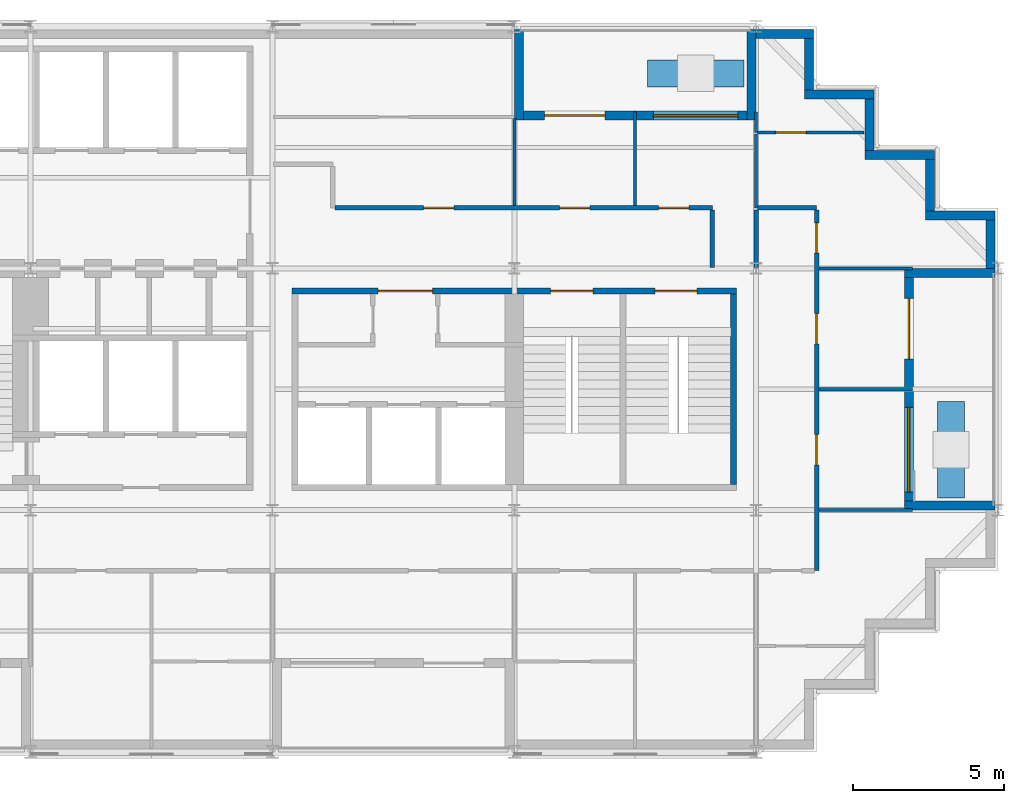
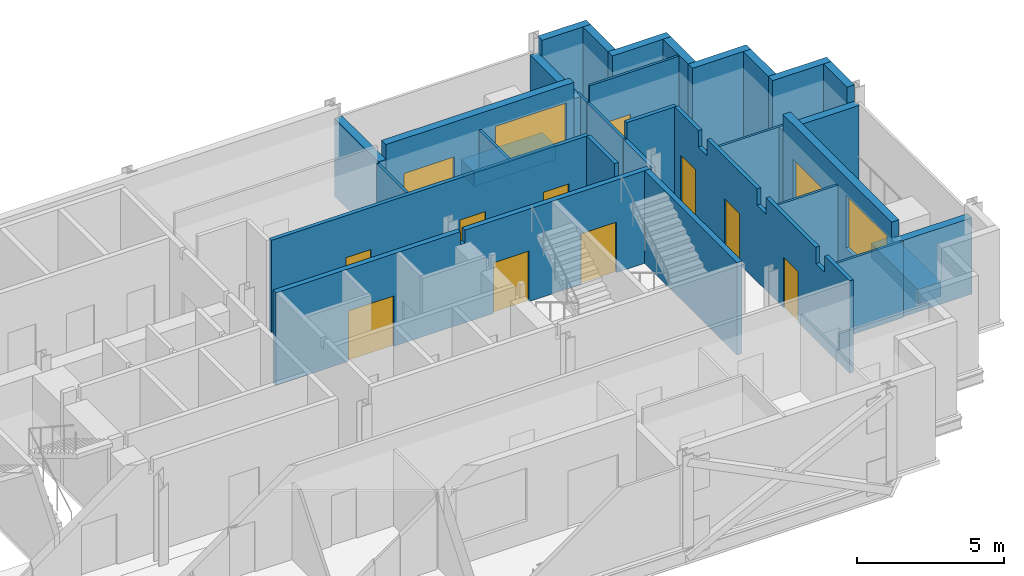
# One storey, part 7 of 10: 31 walls, 12 doors, 2 windows, 14 openings.
"""IFC4 building model written with IfcOpenShell, lengths in metres."""

from ifc_helpers import new_model, si_unit, direction, frame, frame_2d, origin, place, context, subcontext, project, spatial, polyline, rectangle, outline, extrude, material, layer, layer_set, type_object, element, fill, save


model = new_model("IFC4")

# Units and contexts
model_context = context("Model", 3, precision=1e-05, world=origin(), true_north=direction((0.0, 1.0)))
body_context = subcontext(model_context, "Body", "Model", "MODEL_VIEW")
ifc_project = project(units=[si_unit("LENGTHUNIT", "METRE"), si_unit("AREAUNIT", "SQUARE_METRE"), si_unit("VOLUMEUNIT", "CUBIC_METRE"), si_unit("PLANEANGLEUNIT", "RADIAN"), si_unit("MASSUNIT", "GRAM", prefix="KILO")], contexts=[model_context])

# Site, building, storey
site_placement = place(None, origin())
site = spatial("IfcSite", under=ifc_project, at=site_placement, CompositionType="ELEMENT")
building_placement = place(site_placement, origin())
building = spatial("IfcBuilding", under=site, at=building_placement, Name="Immortelle Media Tower", CompositionType="ELEMENT")
storey_placement = place(building_placement, frame((0.0, 0.0, 229.0)))
storey = spatial("IfcBuildingStorey", under=building, at=storey_placement, Name="L49", CompositionType="ELEMENT", Elevation=229.0)

# Wall, openings, doors
ifc_material_1 = material(Name="Fire-rated gypsum board", Category="gypsum")
ifc_layer_1 = layer(ifc_material_1, 0.012451171875)
ifc_material_2 = material(Name="Steel ASTM A653 SS Gr 50 stud frame with mineral wool", Category="steel")
ifc_layer_2 = layer(ifc_material_2, 0.125)
ifc_layer_3 = layer(ifc_material_1, 0.012451171875)
ifc_layer_set_1 = layer_set([ifc_layer_1, ifc_layer_2, ifc_layer_3], Name="Steel ASTM A653 SS Gr 50 stud frame with mineral wool")
wall_type_1 = type_object("IfcWallType", Name="Corridor wall 150", PredefinedType="PARTITIONING", material=ifc_layer_set_1)
wall_1_placement = place(storey_placement, frame((42.0, 6.0, 0.0), z_axis=(0.0, 0.0, 1.0), x_axis=(0.0, 1.0, 0.0)))
wall_1 = element("IfcWall", 1, at=wall_1_placement, inside=storey, type_object=wall_type_1, Name="Partition L49-017", PredefinedType="PARTITIONING", context=body_context, shape_type="SweptSolid", body=[
    extrude(outline(polyline([(0.0, 0.0), (11.925048828125, 0.0), (11.925048828125, 3.85009765625), (10.300048828125, 3.85009765625), (10.298095703125, 3.172119140625), (9.701904296875, 3.172119140625), (9.699951171875, 3.85009765625), (6.300048828125, 3.85009765625), (6.298095703125, 3.172119140625), (5.701904296875, 3.172119140625), (5.699951171875, 3.85009765625), (2.300048828125, 3.85009765625), (2.298095703125, 3.172119140625), (1.701904296875, 3.172119140625), (1.699951171875, 3.85009765625), (0.0, 3.85009765625), (0.0, 0.0)])), frame((0.0, 0.074951171875, 0.0), z_axis=(0.0, -1.0, 0.0), x_axis=(1.0, 0.0, 0.0)), (0.0, 0.0, 1.0), 0.14990234375),
])
opening_1_placement = place(wall_1_placement, frame((4.5, 0.0, 0.0), z_axis=(0.0, 0.0, 1.0), x_axis=(-1.0, 0.0, 0.0)))
opening_1 = element("IfcOpeningElement", 2, at=opening_1_placement, cuts=wall_1, Name="Opening O5-F014", PredefinedType="OPENING", context=body_context, shape_type="SweptSolid", body=[
    extrude(rectangle(XDim=1.0, YDim=2.10009765625, at=frame_2d((0.5, 1.050048828125))), frame((0.0, 0.0849609375, 0.0), z_axis=(0.0, -1.0, 0.0), x_axis=(1.0, 0.0, 0.0)), (0.0, 0.0, 1.0), 0.169921875),
])
opening_2_placement = place(wall_1_placement, frame((8.5, 0.0, 0.0), z_axis=(0.0, 0.0, 1.0), x_axis=(-1.0, 0.0, 0.0)))
opening_2 = element("IfcOpeningElement", 3, at=opening_2_placement, cuts=wall_1, Name="Opening O5-F015", PredefinedType="OPENING", context=body_context, shape_type="SweptSolid", body=[
    extrude(rectangle(XDim=1.0, YDim=2.10009765625, at=frame_2d((0.5, 1.050048828125))), frame((0.0, 0.0849609375, 0.0), z_axis=(0.0, -1.0, 0.0), x_axis=(1.0, 0.0, 0.0)), (0.0, 0.0, 1.0), 0.169921875),
])
opening_3_placement = place(wall_1_placement, frame((11.5, 0.0, 0.0), z_axis=(0.0, 0.0, 1.0), x_axis=(-1.0, 0.0, 0.0)))
opening_3 = element("IfcOpeningElement", 4, at=opening_3_placement, cuts=wall_1, Name="Opening O5-F017", PredefinedType="OPENING", context=body_context, shape_type="SweptSolid", body=[
    extrude(rectangle(XDim=1.0, YDim=2.10009765625, at=frame_2d((0.5, 1.050048828125))), frame((0.0, 0.0849609375, 0.0), z_axis=(0.0, -1.0, 0.0), x_axis=(1.0, 0.0, 0.0)), (0.0, 0.0, 1.0), 0.169921875),
])
ifc_material_3 = material(Name="Timber veneered door leaf, galvanised steel frame ASTM A653", Category="steel")
door_type_1 = type_object("IfcDoorType", Name="Room door 1000 x 2100", OperationType="NOTDEFINED", PredefinedType="DOOR", material=ifc_material_3)
door_1_placement = place(opening_1_placement, origin())
door_1 = element("IfcDoor", 5, at=door_1_placement, inside=storey, type_object=door_type_1, Name="Door O5-F014", OperationType="SINGLE_SWING_RIGHT", OverallHeight=2.10009765625, OverallWidth=1.0, PredefinedType="DOOR", context=body_context, shape_type="SweptSolid", body=[
    extrude(rectangle(XDim=1.0, YDim=2.10009765625, at=frame_2d((0.5, 1.050048828125))), frame((0.0, 0.02490234375, 0.0), z_axis=(0.0, -1.0, 0.0), x_axis=(1.0, 0.0, 0.0)), (0.0, 0.0, 1.0), 0.050048828125),
])
fill(opening_1, door_1)
door_2_placement = place(opening_2_placement, origin())
door_2 = element("IfcDoor", 6, at=door_2_placement, inside=storey, type_object=door_type_1, Name="Door O5-F015", OperationType="SINGLE_SWING_LEFT", OverallHeight=2.10009765625, OverallWidth=1.0, PredefinedType="DOOR", context=body_context, shape_type="SweptSolid", body=[
    extrude(rectangle(XDim=1.0, YDim=2.10009765625, at=frame_2d((0.5, 1.050048828125))), frame((0.0, 0.02490234375, 0.0), z_axis=(0.0, -1.0, 0.0), x_axis=(1.0, 0.0, 0.0)), (0.0, 0.0, 1.0), 0.050048828125),
])
fill(opening_2, door_2)
door_3_placement = place(opening_3_placement, origin())
door_3 = element("IfcDoor", 7, at=door_3_placement, inside=storey, type_object=door_type_1, Name="Door O5-F017", OperationType="SINGLE_SWING_RIGHT", OverallHeight=2.10009765625, OverallWidth=1.0, PredefinedType="DOOR", context=body_context, shape_type="SweptSolid", body=[
    extrude(rectangle(XDim=1.0, YDim=2.10009765625, at=frame_2d((0.5, 1.050048828125))), frame((0.0, 0.02490234375, 0.0), z_axis=(0.0, -1.0, 0.0), x_axis=(1.0, 0.0, 0.0)), (0.0, 0.0, 1.0), 0.050048828125),
])
fill(opening_3, door_3)

# Walls
wall_2_placement = place(storey_placement, frame((38.550048828125, 16.030029296875, 0.0), z_axis=(0.0, 0.0, 1.0), x_axis=(0.0, 1.0, 0.0)))
element("IfcWall", 8, at=wall_2_placement, inside=storey, type_object=wall_type_1, Name="Partition L49-023", PredefinedType="PARTITIONING", context=body_context, shape_type="SweptSolid", body=[
    extrude(rectangle(XDim=1.89501953125, YDim=0.14990234375, at=frame_2d((0.947509765625, 0.0))), origin(), (0.0, 0.0, 1.0), 3.85009765625),
])
wall_3_placement = place(storey_placement, frame((40.0, 16.030029296875, 0.0), z_axis=(0.0, 0.0, 1.0), x_axis=(0.0, 1.0, 0.0)))
element("IfcWall", 9, at=wall_3_placement, inside=storey, type_object=wall_type_1, Name="Partition L49-024", PredefinedType="PARTITIONING", context=body_context, shape_type="SweptSolid", body=[
    extrude(rectangle(XDim=1.89501953125, YDim=0.14990234375, at=frame_2d((0.947509765625, 0.0))), origin(), (0.0, 0.0, 1.0), 3.172119140625),
])

# Wall, openings, doors
wall_4_placement = place(storey_placement, frame((26.074951171875, 18.0, 0.0), z_axis=(0.0, 0.0, 1.0), x_axis=(1.0, 0.0, 0.0)))
wall_4 = element("IfcWall", 10, at=wall_4_placement, inside=storey, type_object=wall_type_1, Name="Partition L49-025", PredefinedType="PARTITIONING", context=body_context, shape_type="SweptSolid", body=[
    extrude(rectangle(XDim=12.47509765625, YDim=0.14990234375, at=frame_2d((6.237548828125, 0.0))), origin(), (0.0, 0.0, 1.0), 3.85009765625),
])
opening_4_placement = place(wall_4_placement, frame((7.425048828125, 0.0, 0.0)))
opening_4 = element("IfcOpeningElement", 11, at=opening_4_placement, cuts=wall_4, Name="Opening O5-F019", PredefinedType="OPENING", context=body_context, shape_type="SweptSolid", body=[
    extrude(rectangle(XDim=1.0, YDim=2.10009765625, at=frame_2d((0.5, 1.050048828125))), frame((0.0, 0.0849609375, 0.0), z_axis=(0.0, -1.0, 0.0), x_axis=(1.0, 0.0, 0.0)), (0.0, 0.0, 1.0), 0.169921875),
])
opening_5_placement = place(wall_4_placement, frame((10.699951171875, 0.0, 0.0)))
opening_5 = element("IfcOpeningElement", 12, at=opening_5_placement, cuts=wall_4, Name="Opening O5-F020", PredefinedType="OPENING", context=body_context, shape_type="SweptSolid", body=[
    extrude(rectangle(XDim=1.0, YDim=2.10009765625, at=frame_2d((0.5, 1.050048828125))), frame((0.0, 0.0849609375, 0.0), z_axis=(0.0, -1.0, 0.0), x_axis=(1.0, 0.0, 0.0)), (0.0, 0.0, 1.0), 0.169921875),
])
opening_6_placement = place(wall_4_placement, frame((2.925048828125, 0.0, 0.0)))
opening_6 = element("IfcOpeningElement", 13, at=opening_6_placement, cuts=wall_4, Name="Opening O5-F021", PredefinedType="OPENING", context=body_context, shape_type="SweptSolid", body=[
    extrude(rectangle(XDim=1.0, YDim=2.10009765625, at=frame_2d((0.5, 1.050048828125))), frame((0.0, 0.0849609375, 0.0), z_axis=(0.0, -1.0, 0.0), x_axis=(1.0, 0.0, 0.0)), (0.0, 0.0, 1.0), 0.169921875),
])
door_4_placement = place(opening_4_placement, origin())
door_4 = element("IfcDoor", 14, at=door_4_placement, inside=storey, type_object=door_type_1, Name="Door O5-F019", OperationType="SINGLE_SWING_LEFT", OverallHeight=2.10009765625, OverallWidth=1.0, PredefinedType="DOOR", context=body_context, shape_type="SweptSolid", body=[
    extrude(rectangle(XDim=1.0, YDim=2.10009765625, at=frame_2d((0.5, 1.050048828125))), frame((0.0, 0.02490234375, 0.0), z_axis=(0.0, -1.0, 0.0), x_axis=(1.0, 0.0, 0.0)), (0.0, 0.0, 1.0), 0.050048828125),
])
fill(opening_4, door_4)
door_5_placement = place(opening_5_placement, origin())
door_5 = element("IfcDoor", 15, at=door_5_placement, inside=storey, type_object=door_type_1, Name="Door O5-F020", OperationType="SINGLE_SWING_LEFT", OverallHeight=2.10009765625, OverallWidth=1.0, PredefinedType="DOOR", context=body_context, shape_type="SweptSolid", body=[
    extrude(rectangle(XDim=1.0, YDim=2.10009765625, at=frame_2d((0.5, 1.050048828125))), frame((0.0, 0.02490234375, 0.0), z_axis=(0.0, -1.0, 0.0), x_axis=(1.0, 0.0, 0.0)), (0.0, 0.0, 1.0), 0.050048828125),
])
fill(opening_5, door_5)
door_6_placement = place(opening_6_placement, origin())
door_6 = element("IfcDoor", 16, at=door_6_placement, inside=storey, type_object=door_type_1, Name="Door O5-F021", OperationType="SINGLE_SWING_RIGHT", OverallHeight=2.10009765625, OverallWidth=1.0, PredefinedType="DOOR", context=body_context, shape_type="SweptSolid", body=[
    extrude(rectangle(XDim=1.0, YDim=2.10009765625, at=frame_2d((0.5, 1.050048828125))), frame((0.0, 0.02490234375, 0.0), z_axis=(0.0, -1.0, 0.0), x_axis=(1.0, 0.0, 0.0)), (0.0, 0.0, 1.0), 0.050048828125),
])
fill(opening_6, door_6)

# Wall
wall_5_placement = place(storey_placement, frame((40.050048828125, 18.0, 0.0), z_axis=(0.0, 0.0, 1.0), x_axis=(1.0, 0.0, 0.0)))
element("IfcWall", 17, at=wall_5_placement, inside=storey, type_object=wall_type_1, Name="Partition L49-029", PredefinedType="PARTITIONING", context=body_context, shape_type="SweptSolid", body=[
    extrude(rectangle(XDim=1.949951171875, YDim=0.14990234375, at=frame_2d((0.97509765625, 0.0))), origin(), (0.0, 0.0, 1.0), 3.85009765625),
])

# Wall, openings, door, window
ifc_material_4 = material(Name="Pale aluminium cladding panel", Category="aluminium")
ifc_layer_4 = layer(ifc_material_4, 0.030029296875)
ifc_layer_5 = layer(ifc_material_2, 0.257568359375)
ifc_material_5 = material(Name="Moisture-resistant gypsum board", Category="gypsum")
ifc_layer_6 = layer(ifc_material_5, 0.012451171875)
ifc_layer_set_2 = layer_set([ifc_layer_4, ifc_layer_5, ifc_layer_6], Name="Steel ASTM A653 SS Gr 50 stud frame with mineral wool")
wall_type_2 = type_object("IfcWallType", Name="Facade wall 300", PredefinedType="SOLIDWALL", material=ifc_layer_set_2)
wall_6_placement = place(storey_placement, frame((45.050048828125, 8.300048828125, 0.0), z_axis=(0.0, 0.0, 1.0), x_axis=(0.0, 1.0, 0.0)))
wall_6 = element("IfcWall", 18, at=wall_6_placement, inside=storey, type_object=wall_type_2, Name="Loggia wall L49 E13", PredefinedType="SOLIDWALL", context=body_context, shape_type="SweptSolid", body=[
    extrude(rectangle(XDim=7.39990234375, YDim=0.300048828125, at=frame_2d((3.699951171875, 0.0))), origin(), (0.0, 0.0, 1.0), 3.85009765625),
])
opening_7_placement = place(wall_6_placement, frame((0.300048828125, 0.0, 0.89990234375)))
opening_7 = element("IfcOpeningElement", 19, at=opening_7_placement, cuts=wall_6, Name="Opening W1", PredefinedType="OPENING", context=body_context, shape_type="SweptSolid", body=[
    extrude(rectangle(XDim=2.800048828125, YDim=2.199951171875, at=frame_2d((1.39990234375, 1.10009765625))), frame((0.0, 0.159912109375, 0.0), z_axis=(0.0, -1.0, 0.0), x_axis=(1.0, 0.0, 0.0)), (0.0, 0.0, 1.0), 0.320068359375),
])
opening_8_placement = place(wall_6_placement, frame((4.699951171875, 0.0, 0.0)))
opening_8 = element("IfcOpeningElement", 20, at=opening_8_placement, cuts=wall_6, Name="Opening O5-E003", PredefinedType="OPENING", context=body_context, shape_type="SweptSolid", body=[
    extrude(rectangle(XDim=2.0, YDim=2.39990234375, at=frame_2d((1.0, 1.199951171875))), frame((0.0, 0.159912109375, 0.0), z_axis=(0.0, -1.0, 0.0), x_axis=(1.0, 0.0, 0.0)), (0.0, 0.0, 1.0), 0.320068359375),
])
ifc_material_6 = material(Name="Aluminium frame, glazed leaves", Category="aluminium")
door_type_2 = type_object("IfcDoorType", Name="Loggia door 2000 x 2400", OperationType="DOUBLE_DOOR_SINGLE_SWING", PredefinedType="DOOR", material=ifc_material_6)
door_7_placement = place(opening_8_placement, origin())
door_7 = element("IfcDoor", 21, at=door_7_placement, inside=storey, type_object=door_type_2, Name="Door O5-E003", OperationType="DOUBLE_DOOR_SINGLE_SWING", OverallHeight=2.39990234375, OverallWidth=2.0, PredefinedType="DOOR", context=body_context, shape_type="SweptSolid", body=[
    extrude(rectangle(XDim=2.0, YDim=2.39990234375, at=frame_2d((1.0, 1.199951171875))), frame((0.0, 0.02490234375, 0.0), z_axis=(0.0, -1.0, 0.0), x_axis=(1.0, 0.0, 0.0)), (0.0, 0.0, 1.0), 0.050048828125),
])
fill(opening_8, door_7)
ifc_material_7 = material(Name="Aluminium frame", Category="aluminium")
window_type = type_object("IfcWindowType", Name="Window 2800 x 2200", PartitioningType="SINGLE_PANEL", PredefinedType="WINDOW", material=ifc_material_7)
window_1_placement = place(opening_7_placement, origin())
window_1 = element("IfcWindow", 22, at=window_1_placement, inside=storey, type_object=window_type, Name="Window L49 L49-R13-B0", OverallHeight=2.199951171875, OverallWidth=2.800048828125, PartitioningType="SINGLE_PANEL", PredefinedType="WINDOW", context=body_context, shape_type="SweptSolid", body=[
    extrude(rectangle(XDim=2.800048828125, YDim=2.199951171875, at=frame_2d((1.39990234375, 1.10009765625))), frame((0.0, 0.030029296875, 0.0), z_axis=(0.0, -1.0, 0.0), x_axis=(1.0, 0.0, 0.0)), (0.0, 0.0, 1.0), 0.06005859375),
])
fill(opening_7, window_1)

# Walls
for number, where, z_axis, x_axis, name in (
    (23, (47.89990234375, 8.14990234375, 0.0), (0.0, 0.0, 1.0), (-1.0, 0.0, 0.0), "Loggia cheek wall L49 E"),
    (24, (47.89990234375, 15.85009765625, 0.0), (0.0, 0.0, 1.0), (-1.0, 0.0, 0.0), "Loggia cheek wall L49 E"),
):
    element("IfcWall", number, at=place(storey_placement, frame(where, z_axis=z_axis, x_axis=x_axis)), inside=storey, type_object=wall_type_2, Name=name, PredefinedType="SOLIDWALL", context=body_context, shape_type="SweptSolid", body=[
        extrude(rectangle(XDim=3.0, YDim=0.300048828125, at=frame_2d((1.5, 0.0))), origin(), (0.0, 0.0, 1.0), 3.1708984375),
    ])
wall_7_placement = place(storey_placement, frame((47.75, 16.0, 0.0), z_axis=(0.0, 0.0, 1.0), x_axis=(0.0, 1.0, 0.0)))
element("IfcWall", 25, at=wall_7_placement, inside=storey, type_object=wall_type_2, Name="Facade wall L49 E13", PredefinedType="SOLIDWALL", context=body_context, shape_type="SweptSolid", body=[
    extrude(rectangle(XDim=1.60009765625, YDim=0.300048828125, at=frame_2d((0.800048828125, 0.0))), origin(), (0.0, 0.0, 1.0), 3.85009765625),
])
wall_8_placement = place(storey_placement, frame((47.89990234375, 17.75, 0.0), z_axis=(0.0, 0.0, 1.0), x_axis=(-1.0, 0.0, 0.0)))
element("IfcWall", 26, at=wall_8_placement, inside=storey, type_object=wall_type_2, Name="Facade wall L49 N14", PredefinedType="SOLIDWALL", context=body_context, shape_type="SweptSolid", body=[
    extrude(rectangle(XDim=2.2998046875, YDim=0.300048828125, at=frame_2d((1.14990234375, 0.0))), origin(), (0.0, 0.0, 1.0), 3.85009765625),
])
wall_9_placement = place(storey_placement, frame((45.75, 17.89990234375, 0.0), z_axis=(0.0, 0.0, 1.0), x_axis=(0.0, 1.0, 0.0)))
element("IfcWall", 27, at=wall_9_placement, inside=storey, type_object=wall_type_2, Name="Facade wall L49 E15", PredefinedType="SOLIDWALL", context=body_context, shape_type="SweptSolid", body=[
    extrude(rectangle(XDim=1.7001953125, YDim=0.300048828125, at=frame_2d((0.85009765625, 0.0))), origin(), (0.0, 0.0, 1.0), 3.85009765625),
])
wall_10_placement = place(storey_placement, frame((45.89990234375, 19.75, 0.0), z_axis=(0.0, 0.0, 1.0), x_axis=(-1.0, 0.0, 0.0)))
element("IfcWall", 28, at=wall_10_placement, inside=storey, type_object=wall_type_2, Name="Facade wall L49 N16", PredefinedType="SOLIDWALL", context=body_context, shape_type="SweptSolid", body=[
    extrude(rectangle(XDim=2.2998046875, YDim=0.300048828125, at=frame_2d((1.14990234375, 0.0))), origin(), (0.0, 0.0, 1.0), 3.85009765625),
])
wall_11_placement = place(storey_placement, frame((43.75, 19.89990234375, 0.0), z_axis=(0.0, 0.0, 1.0), x_axis=(0.0, 1.0, 0.0)))
element("IfcWall", 29, at=wall_11_placement, inside=storey, type_object=wall_type_2, Name="Facade wall L49 E17", PredefinedType="SOLIDWALL", context=body_context, shape_type="SweptSolid", body=[
    extrude(rectangle(XDim=1.7001953125, YDim=0.300048828125, at=frame_2d((0.85009765625, 0.0))), origin(), (0.0, 0.0, 1.0), 3.85009765625),
])
wall_12_placement = place(storey_placement, frame((43.89990234375, 21.75, 0.0), z_axis=(0.0, 0.0, 1.0), x_axis=(-1.0, 0.0, 0.0)))
element("IfcWall", 30, at=wall_12_placement, inside=storey, type_object=wall_type_2, Name="Facade wall L49 N18", PredefinedType="SOLIDWALL", context=body_context, shape_type="SweptSolid", body=[
    extrude(rectangle(XDim=2.2998046875, YDim=0.300048828125, at=frame_2d((1.14990234375, 0.0))), origin(), (0.0, 0.0, 1.0), 3.85009765625),
])
wall_13_placement = place(storey_placement, frame((41.75, 21.89990234375, 0.0), z_axis=(0.0, 0.0, 1.0), x_axis=(0.0, 1.0, 0.0)))
element("IfcWall", 31, at=wall_13_placement, inside=storey, type_object=wall_type_2, Name="Facade wall L49 E19", PredefinedType="SOLIDWALL", context=body_context, shape_type="SweptSolid", body=[
    extrude(rectangle(XDim=1.7001953125, YDim=0.300048828125, at=frame_2d((0.85009765625, 0.0))), origin(), (0.0, 0.0, 1.0), 3.85009765625),
])
wall_14_placement = place(storey_placement, frame((41.89990234375, 23.75, 0.0), z_axis=(0.0, 0.0, 1.0), x_axis=(-1.0, 0.0, 0.0)))
element("IfcWall", 32, at=wall_14_placement, inside=storey, type_object=wall_type_2, Name="Facade wall L49 N20", PredefinedType="SOLIDWALL", context=body_context, shape_type="SweptSolid", body=[
    extrude(rectangle(XDim=1.89990234375, YDim=0.300048828125, at=frame_2d((0.949951171875, 0.0))), origin(), (0.0, 0.0, 1.0), 3.85009765625),
])

# Wall, openings, door, window
wall_15_placement = place(storey_placement, frame((39.699951171875, 21.050048828125, 0.0), z_axis=(0.0, 0.0, 1.0), x_axis=(-1.0, 0.0, 0.0)))
wall_15 = element("IfcWall", 33, at=wall_15_placement, inside=storey, type_object=wall_type_2, Name="Loggia wall L49 N20", PredefinedType="SOLIDWALL", context=body_context, shape_type="SweptSolid", body=[
    extrude(rectangle(XDim=7.39990234375, YDim=0.300048828125, at=frame_2d((3.699951171875, 0.0))), origin(), (0.0, 0.0, 1.0), 3.85009765625),
])
opening_9_placement = place(wall_15_placement, frame((0.300048828125, 0.0, 0.89990234375)))
opening_9 = element("IfcOpeningElement", 34, at=opening_9_placement, cuts=wall_15, Name="Opening W1", PredefinedType="OPENING", context=body_context, shape_type="SweptSolid", body=[
    extrude(rectangle(XDim=2.800048828125, YDim=2.199951171875, at=frame_2d((1.39990234375, 1.10009765625))), frame((0.0, 0.159912109375, 0.0), z_axis=(0.0, -1.0, 0.0), x_axis=(1.0, 0.0, 0.0)), (0.0, 0.0, 1.0), 0.320068359375),
])
opening_10_placement = place(wall_15_placement, frame((4.699951171875, 0.0, 0.0)))
opening_10 = element("IfcOpeningElement", 35, at=opening_10_placement, cuts=wall_15, Name="Opening O5-E004", PredefinedType="OPENING", context=body_context, shape_type="SweptSolid", body=[
    extrude(rectangle(XDim=2.0, YDim=2.39990234375, at=frame_2d((1.0, 1.199951171875))), frame((0.0, 0.159912109375, 0.0), z_axis=(0.0, -1.0, 0.0), x_axis=(1.0, 0.0, 0.0)), (0.0, 0.0, 1.0), 0.320068359375),
])
door_8_placement = place(opening_10_placement, origin())
door_8 = element("IfcDoor", 36, at=door_8_placement, inside=storey, type_object=door_type_2, Name="Door O5-E004", OperationType="DOUBLE_DOOR_SINGLE_SWING", OverallHeight=2.39990234375, OverallWidth=2.0, PredefinedType="DOOR", context=body_context, shape_type="SweptSolid", body=[
    extrude(rectangle(XDim=2.0, YDim=2.39990234375, at=frame_2d((1.0, 1.199951171875))), frame((0.0, 0.02490234375, 0.0), z_axis=(0.0, -1.0, 0.0), x_axis=(1.0, 0.0, 0.0)), (0.0, 0.0, 1.0), 0.050048828125),
])
fill(opening_10, door_8)
window_2_placement = place(opening_9_placement, origin())
window_2 = element("IfcWindow", 37, at=window_2_placement, inside=storey, type_object=window_type, Name="Window L49 L49-R20-B0", OverallHeight=2.199951171875, OverallWidth=2.800048828125, PartitioningType="SINGLE_PANEL", PredefinedType="WINDOW", context=body_context, shape_type="SweptSolid", body=[
    extrude(rectangle(XDim=2.800048828125, YDim=2.199951171875, at=frame_2d((1.39990234375, 1.10009765625))), frame((0.0, 0.030029296875, 0.0), z_axis=(0.0, -1.0, 0.0), x_axis=(1.0, 0.0, 0.0)), (0.0, 0.0, 1.0), 0.06005859375),
])
fill(opening_9, window_2)

# Walls
wall_16_placement = place(storey_placement, frame((39.85009765625, 23.89990234375, 0.0), z_axis=(0.0, 0.0, 1.0), x_axis=(0.0, -1.0, 0.0)))
element("IfcWall", 38, at=wall_16_placement, inside=storey, type_object=wall_type_2, Name="Loggia cheek wall L49 N", PredefinedType="SOLIDWALL", context=body_context, shape_type="SweptSolid", body=[
    extrude(rectangle(XDim=3.0, YDim=0.300048828125, at=frame_2d((1.5, 0.0))), origin(), (0.0, 0.0, 1.0), 3.1708984375),
])
wall_17_placement = place(storey_placement, frame((32.14990234375, 23.89990234375, 0.0), z_axis=(0.0, 0.0, 1.0), x_axis=(0.0, -1.0, 0.0)))
element("IfcWall", 39, at=wall_17_placement, inside=storey, type_object=wall_type_2, Name="Loggia cheek wall L49 N", PredefinedType="SOLIDWALL", context=body_context, shape_type="SweptSolid", body=[
    extrude(rectangle(XDim=3.0, YDim=0.300048828125, at=frame_2d((1.5, 0.0))), origin(), (0.0, 0.0, 1.0), 3.237060546875),
])
ifc_material_8 = material(Name="Gypsum board", Category="gypsum")
ifc_layer_7 = layer(ifc_material_8, 0.012451171875)
ifc_layer_8 = layer(ifc_material_2, 0.074951171875)
ifc_layer_9 = layer(ifc_material_8, 0.012451171875)
ifc_layer_set_3 = layer_set([ifc_layer_7, ifc_layer_8, ifc_layer_9], Name="Steel ASTM A653 SS Gr 50 stud frame with mineral wool")
wall_type_3 = type_object("IfcWallType", Name="Partition 100", PredefinedType="PARTITIONING", material=ifc_layer_set_3)
for number, where, z_axis, x_axis, name in (
    (40, (42.074951171875, 8.0, 0.0), (0.0, 0.0, 1.0), (1.0, 0.0, 0.0), "Partition L49-019"),
    (41, (42.074951171875, 12.0, 0.0), (0.0, 0.0, 1.0), (1.0, 0.0, 0.0), "Partition L49-020"),
    (42, (42.074951171875, 16.0, 0.0), (0.0, 0.0, 1.0), (1.0, 0.0, 0.0), "Partition L49-022"),
):
    element("IfcWall", number, at=place(storey_placement, frame(where, z_axis=z_axis, x_axis=x_axis)), inside=storey, type_object=wall_type_3, Name=name, PredefinedType="PARTITIONING", context=body_context, shape_type="SweptSolid", body=[
        extrude(rectangle(XDim=3.094970703125, YDim=0.10009765625, at=frame_2d((1.54736328125, 0.0))), origin(), (0.0, 0.0, 1.0), 3.172119140625),
    ])
wall_18_placement = place(storey_placement, frame((32.0, 18.074951171875, 0.0), z_axis=(0.0, 0.0, 1.0), x_axis=(0.0, 1.0, 0.0)))
element("IfcWall", 43, at=wall_18_placement, inside=storey, type_object=wall_type_3, Name="Partition L49-027", PredefinedType="PARTITIONING", context=body_context, shape_type="SweptSolid", body=[
    extrude(rectangle(XDim=2.875, YDim=0.10009765625, at=frame_2d((1.4375, 0.0))), origin(), (0.0, 0.0, 1.0), 3.172119140625),
])
wall_19_placement = place(storey_placement, frame((36.0, 18.074951171875, 0.0), z_axis=(0.0, 0.0, 1.0), x_axis=(0.0, 1.0, 0.0)))
element("IfcWall", 44, at=wall_19_placement, inside=storey, type_object=wall_type_3, Name="Partition L49-028", PredefinedType="PARTITIONING", context=body_context, shape_type="SweptSolid", body=[
    extrude(rectangle(XDim=3.094970703125, YDim=0.10009765625, at=frame_2d((1.54736328125, 0.0))), origin(), (0.0, 0.0, 1.0), 3.172119140625),
])
wall_20_placement = place(storey_placement, frame((40.0, 18.0, 0.0), z_axis=(0.0, 0.0, 1.0), x_axis=(0.0, 1.0, 0.0)))
element("IfcWall", 45, at=wall_20_placement, inside=storey, type_object=wall_type_3, Name="Partition L49-030", PredefinedType="PARTITIONING", context=body_context, shape_type="SweptSolid", body=[
    extrude(rectangle(XDim=2.449951171875, YDim=0.10009765625, at=frame_2d((1.22509765625, 0.0))), origin(), (0.0, 0.0, 1.0), 3.172119140625),
])

# Wall, opening, door
wall_21_placement = place(storey_placement, frame((40.050048828125, 20.5, 0.0), z_axis=(0.0, 0.0, 1.0), x_axis=(1.0, 0.0, 0.0)))
wall_21 = element("IfcWall", 46, at=wall_21_placement, inside=storey, type_object=wall_type_3, Name="Partition L49-033", PredefinedType="PARTITIONING", context=body_context, shape_type="SweptSolid", body=[
    extrude(rectangle(XDim=3.52001953125, YDim=0.10009765625, at=frame_2d((1.760009765625, 0.0))), origin(), (0.0, 0.0, 1.0), 3.85009765625),
])
opening_11_placement = place(wall_21_placement, frame((0.60009765625, 0.0, 0.0)))
opening_11 = element("IfcOpeningElement", 47, at=opening_11_placement, cuts=wall_21, Name="Opening O5-F018", PredefinedType="OPENING", context=body_context, shape_type="SweptSolid", body=[
    extrude(rectangle(XDim=1.0, YDim=2.10009765625, at=frame_2d((0.5, 1.050048828125))), frame((0.0, 0.06005859375, 0.0), z_axis=(0.0, -1.0, 0.0), x_axis=(1.0, 0.0, 0.0)), (0.0, 0.0, 1.0), 0.1201171875),
])
door_9_placement = place(opening_11_placement, origin())
door_9 = element("IfcDoor", 48, at=door_9_placement, inside=storey, type_object=door_type_1, Name="Door O5-F018", OperationType="SINGLE_SWING_LEFT", OverallHeight=2.10009765625, OverallWidth=1.0, PredefinedType="DOOR", context=body_context, shape_type="SweptSolid", body=[
    extrude(rectangle(XDim=1.0, YDim=2.10009765625, at=frame_2d((0.5, 1.050048828125))), frame((0.0, 0.02490234375, 0.0), z_axis=(0.0, -1.0, 0.0), x_axis=(1.0, 0.0, 0.0)), (0.0, 0.0, 1.0), 0.050048828125),
])
fill(opening_11, door_9)

# Walls
wall_22_placement = place(storey_placement, frame((40.0, 20.5, 0.0), z_axis=(0.0, 0.0, 1.0), x_axis=(0.0, 1.0, 0.0)))
element("IfcWall", 49, at=wall_22_placement, inside=storey, type_object=wall_type_3, Name="Partition L49-034", PredefinedType="PARTITIONING", context=body_context, shape_type="SweptSolid", body=[
    extrude(rectangle(XDim=0.669921875, YDim=0.10009765625, at=frame_2d((0.3349609375, 0.0))), origin(), (0.0, 0.0, 1.0), 3.172119140625),
])
ifc_layer_10 = layer(ifc_material_4, 0.0029296875)
ifc_material_9 = material(Name="Steel ASTM A572 Gr 50 planter shell", Category="steel")
ifc_layer_11 = layer(ifc_material_9, 0.011962890625)
ifc_material_10 = material(Name="Planting substrate", Category="soil")
ifc_layer_12 = layer(ifc_material_10, 0.873046875)
ifc_layer_13 = layer(ifc_material_9, 0.011962890625)
ifc_layer_set_4 = layer_set([ifc_layer_10, ifc_layer_11, ifc_layer_12, ifc_layer_13], Name="Steel ASTM A572 Gr 50 planter shell")
wall_type_4 = type_object("IfcWallType", Name="Planter wall 900", PredefinedType="SOLIDWALL", material=ifc_layer_set_4)
for number, where, z_axis, x_axis, name in (
    (50, (46.449951171875, 8.39990234375, 0.0), (0.0, 0.0, 1.0), (0.0, 1.0, 0.0), "Planter L49 E0"),
    (51, (39.60009765625, 22.449951171875, 0.0), (0.0, 0.0, 1.0), (-1.0, 0.0, 0.0), "Planter L49 N0"),
):
    element("IfcWall", number, at=place(storey_placement, frame(where, z_axis=z_axis, x_axis=x_axis)), inside=storey, type_object=wall_type_4, Name=name, PredefinedType="SOLIDWALL", context=body_context, shape_type="SweptSolid", body=[
        extrude(rectangle(XDim=3.2001953125, YDim=0.89990234375, at=frame_2d((1.60009765625, 0.0))), origin(), (0.0, 0.0, 1.0), 0.60009765625),
    ])

# Wall, openings, doors
ifc_material_11 = material(Name="Concrete C60", Category="concrete")
ifc_layer_14 = layer(ifc_material_11, 0.199951171875)
ifc_layer_set_5 = layer_set([ifc_layer_14], Name="Concrete C60")
wall_type_5 = type_object("IfcWallType", Name="Stair shaft wall 200", PredefinedType="PARTITIONING", material=ifc_layer_set_5)
wall_23_placement = place(storey_placement, frame((24.64990234375, 15.25, 0.0), z_axis=(0.0, 0.0, 1.0), x_axis=(1.0, 0.0, 0.0)))
wall_23 = element("IfcWall", 52, at=wall_23_placement, inside=storey, type_object=wall_type_5, Name="Stair shaft wall SE", PredefinedType="PARTITIONING", context=body_context, shape_type="SweptSolid", body=[
    extrude(outline(polyline([(0.0, 0.0), (14.7001953125, 0.0), (14.699951171875, 3.85009765625), (7.4384765625, 3.85009765625), (7.4375, 3.30810546875), (7.262451171875, 3.30810546875), (7.261474609375, 3.85009765625), (0.0, 3.85009765625), (0.0, 0.0)])), frame((0.0, 0.10009765625, 0.0), z_axis=(0.0, -1.0, 0.0), x_axis=(1.0, 0.0, 0.0)), (0.0, 0.0, 1.0), 0.199951171875),
])
opening_12_placement = place(wall_23_placement, frame((2.85009765625, 0.0, 0.0)))
opening_12 = element("IfcOpeningElement", 53, at=opening_12_placement, cuts=wall_23, Name="Opening O5-K022", PredefinedType="OPENING", context=body_context, shape_type="SweptSolid", body=[
    extrude(rectangle(XDim=1.800048828125, YDim=2.10009765625, at=frame_2d((0.89990234375, 1.050048828125))), frame((0.0, 0.10986328125, 0.0), z_axis=(0.0, -1.0, 0.0), x_axis=(1.0, 0.0, 0.0)), (0.0, 0.0, 1.0), 0.219970703125),
])
opening_13_placement = place(wall_23_placement, frame((9.949951171875, 0.0, 0.0), z_axis=(0.0, 0.0, 1.0), x_axis=(-1.0, 0.0, 0.0)))
opening_13 = element("IfcOpeningElement", 54, at=opening_13_placement, cuts=wall_23, Name="Opening O5-K025", PredefinedType="OPENING", context=body_context, shape_type="SweptSolid", body=[
    extrude(rectangle(XDim=1.39990234375, YDim=2.10009765625, at=frame_2d((0.699951171875, 1.050048828125))), frame((0.0, 0.10986328125, 0.0), z_axis=(0.0, -1.0, 0.0), x_axis=(1.0, 0.0, 0.0)), (0.0, 0.0, 1.0), 0.219970703125),
])
opening_14_placement = place(wall_23_placement, frame((13.39990234375, 0.0, 0.0), z_axis=(0.0, 0.0, 1.0), x_axis=(-1.0, 0.0, 0.0)))
opening_14 = element("IfcOpeningElement", 55, at=opening_14_placement, cuts=wall_23, Name="Opening O5-K026", PredefinedType="OPENING", context=body_context, shape_type="SweptSolid", body=[
    extrude(rectangle(XDim=1.39990234375, YDim=2.10009765625, at=frame_2d((0.699951171875, 1.050048828125))), frame((0.0, 0.10986328125, 0.0), z_axis=(0.0, -1.0, 0.0), x_axis=(1.0, 0.0, 0.0)), (0.0, 0.0, 1.0), 0.219970703125),
])
ifc_material_12 = material(Name="Galvanised steel door leaf and frame ASTM A653", Category="steel")
door_type_3 = type_object("IfcDoorType", Name="Lift lobby door 1800 x 2100", OperationType="DOUBLE_DOOR_SINGLE_SWING", PredefinedType="NOTDEFINED", material=ifc_material_12)
door_10_placement = place(opening_12_placement, origin())
door_10 = element("IfcDoor", 56, at=door_10_placement, inside=storey, type_object=door_type_3, Name="Lift lobby O5-K022", OperationType="DOUBLE_DOOR_SINGLE_SWING", OverallHeight=2.10009765625, OverallWidth=1.800048828125, PredefinedType="NOTDEFINED", context=body_context, shape_type="SweptSolid", body=[
    extrude(rectangle(XDim=1.800048828125, YDim=2.10009765625, at=frame_2d((0.89990234375, 1.050048828125))), frame((0.0, 0.02490234375, 0.0), z_axis=(0.0, -1.0, 0.0), x_axis=(1.0, 0.0, 0.0)), (0.0, 0.0, 1.0), 0.050048828125),
])
fill(opening_12, door_10)
door_type_4 = type_object("IfcDoorType", Name="Stair door 1400 x 2100", OperationType="DOUBLE_DOOR_SINGLE_SWING", PredefinedType="NOTDEFINED", material=ifc_material_12)
door_11_placement = place(opening_13_placement, origin())
door_11 = element("IfcDoor", 57, at=door_11_placement, inside=storey, type_object=door_type_4, Name="Stair O5-K025", OperationType="DOUBLE_DOOR_SINGLE_SWING", OverallHeight=2.10009765625, OverallWidth=1.39990234375, PredefinedType="NOTDEFINED", context=body_context, shape_type="SweptSolid", body=[
    extrude(rectangle(XDim=1.39990234375, YDim=2.10009765625, at=frame_2d((0.699951171875, 1.050048828125))), frame((0.0, 0.02490234375, 0.0), z_axis=(0.0, -1.0, 0.0), x_axis=(1.0, 0.0, 0.0)), (0.0, 0.0, 1.0), 0.050048828125),
])
fill(opening_13, door_11)
door_12_placement = place(opening_14_placement, origin())
door_12 = element("IfcDoor", 58, at=door_12_placement, inside=storey, type_object=door_type_4, Name="Stair O5-K026", OperationType="DOUBLE_DOOR_SINGLE_SWING", OverallHeight=2.10009765625, OverallWidth=1.39990234375, PredefinedType="NOTDEFINED", context=body_context, shape_type="SweptSolid", body=[
    extrude(rectangle(XDim=1.39990234375, YDim=2.10009765625, at=frame_2d((0.699951171875, 1.050048828125))), frame((0.0, 0.02490234375, 0.0), z_axis=(0.0, -1.0, 0.0), x_axis=(1.0, 0.0, 0.0)), (0.0, 0.0, 1.0), 0.050048828125),
])
fill(opening_14, door_12)

# Wall
wall_24_placement = place(storey_placement, frame((39.25, 8.85009765625, 0.0), z_axis=(0.0, 0.0, 1.0), x_axis=(0.0, 1.0, 0.0)))
element("IfcWall", 59, at=wall_24_placement, inside=storey, type_object=wall_type_5, Name="Stair shaft wall SE", PredefinedType="PARTITIONING", context=body_context, shape_type="SweptSolid", body=[
    extrude(rectangle(XDim=6.2998046875, YDim=0.199951171875, at=frame_2d((3.14990234375, 0.0))), origin(), (0.0, 0.0, 1.0), 3.85009765625),
])

save(model, "model.ifc")
